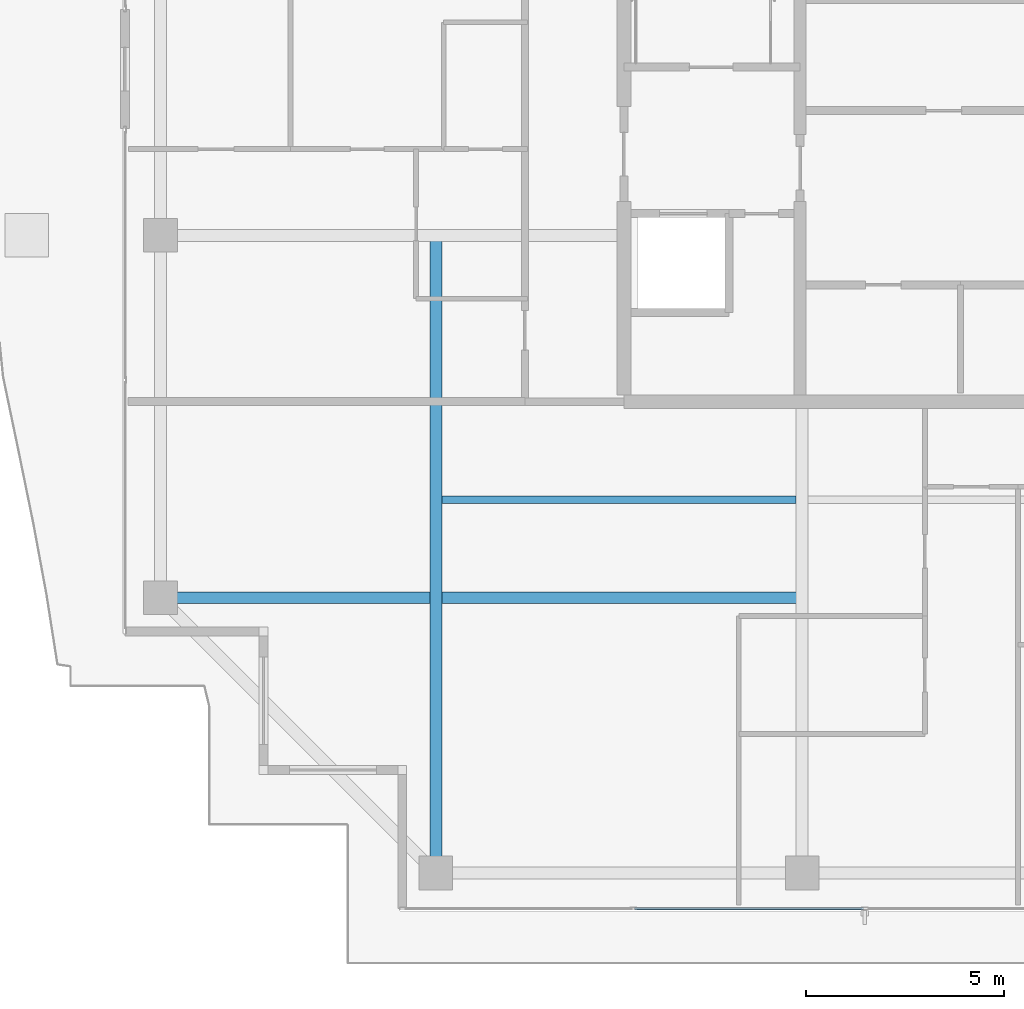
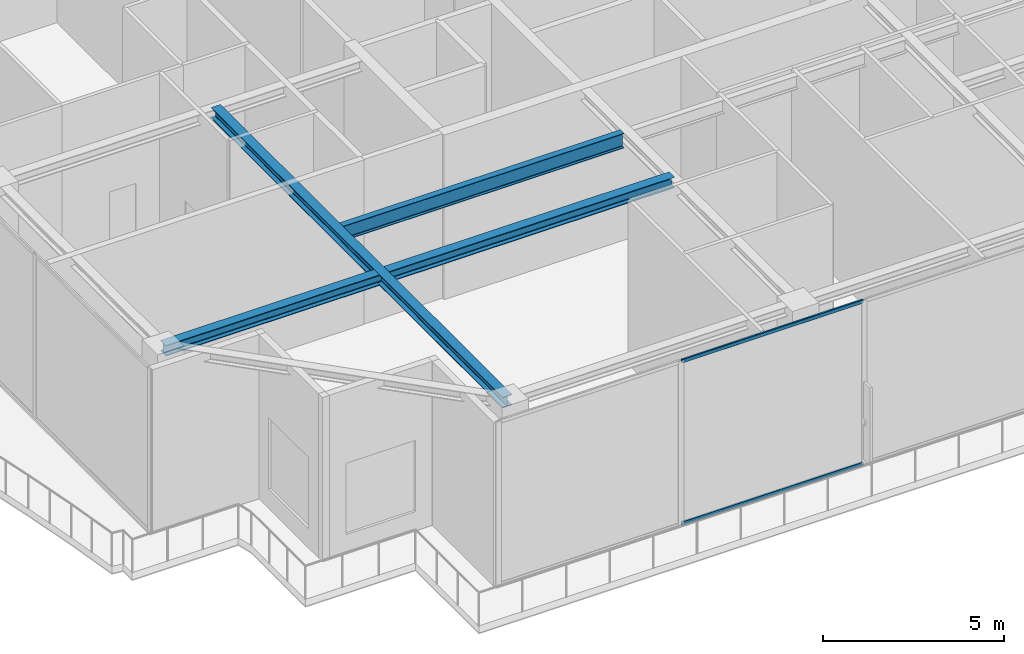
# One storey, part 5 of 38: 3 beams, 2 members, 1 element without a shape of its own.
"""IFC4 building model written with IfcOpenShell, lengths in metres."""

import ifcopenshell
import ifcopenshell.guid

model = None  # the IFC model being written
_history = None  # IfcOwnerHistory: only IFC2X3 demands one
_inside = {}  # id of a spatial element -> (the spatial element, [elements in it])
_under = {}  # id of a project, library or spatial element -> (it, [spatial elements below it])
_declared = {}  # id of a project -> (the project, [libraries it declares])
_typed = {}  # id of a type object -> (the type object, [elements of that type])
_made_of = {}  # id of a material, layer set ... -> (it, [elements and type objects made of it])


def new_model(schema):
    """Start an empty IFC model of exactly this schema.

    Asked for "IFC4X3", IfcOpenShell would pick the latest addendum, in which some entities
    have other attributes; the version numbers below select the first issue.
    IFC2X3 requires an IfcOwnerHistory on every rooted entity: one is made here for all.
    """
    global model, _history
    if schema == "IFC4X3":
        model = ifcopenshell.file(schema_version=(4, 3, 0, 0))
    else:
        model = ifcopenshell.file(schema=schema)
    _inside.clear()
    _under.clear()
    _declared.clear()
    _typed.clear()
    _made_of.clear()
    _history = None
    if model.schema == "IFC2X3":
        org = make("IfcOrganization", Name="unknown")
        user = make(
            "IfcPersonAndOrganization",
            ThePerson=make("IfcPerson", FamilyName="unknown"),
            TheOrganization=org,
        )
        app = make(
            "IfcApplication",
            ApplicationDeveloper=org,
            Version="unknown",
            ApplicationFullName="unknown",
            ApplicationIdentifier="unknown",
        )
        _history = make(
            "IfcOwnerHistory",
            OwningUser=user,
            OwningApplication=app,
            ChangeAction="ADDED",
            CreationDate=0,
        )
    return model


def make(cls, **values):
    """One entity of the class cls with the attributes given. An attribute that is None is left unset."""
    return model.create_entity(
        cls, **{name: value for name, value in values.items() if value is not None}
    )


def rooted(cls, **values):
    """An entity with a GlobalId (a new one), such as an element, a storey or a relation."""
    return make(cls, GlobalId=ifcopenshell.guid.new(), OwnerHistory=_history, **values)


def si_unit(unit_type, name, prefix=None):
    """IfcSIUnit, for example si_unit("LENGTHUNIT", "METRE", prefix="MILLI")."""
    return make("IfcSIUnit", UnitType=unit_type, Prefix=prefix, Name=name)


def assignment(units):
    """IfcUnitAssignment: the units of a project."""
    return None if units is None else make("IfcUnitAssignment", Units=units)


def point(xyz):
    """IfcCartesianPoint."""
    return None if xyz is None else make("IfcCartesianPoint", Coordinates=xyz)


def direction(xyz):
    """IfcDirection."""
    return None if xyz is None else make("IfcDirection", DirectionRatios=xyz)


def frame(location, z_axis=None, x_axis=None):
    """IfcAxis2Placement3D, a coordinate frame: its origin and axes. An axis left out is left unset."""
    return make(
        "IfcAxis2Placement3D",
        Location=point(location),
        Axis=direction(z_axis),
        RefDirection=direction(x_axis),
    )


def frame_2d(location, x_axis=None):
    """IfcAxis2Placement2D, a coordinate frame in the plane: its origin and x axis."""
    return make(
        "IfcAxis2Placement2D", Location=point(location), RefDirection=direction(x_axis)
    )


def origin():
    """The frame at (0, 0, 0) with its axes left unset."""
    return frame((0.0, 0.0, 0.0))


def origin_2d():
    """The frame at (0, 0) in the plane with its x axis left unset."""
    return frame_2d((0.0, 0.0))


def place(relative_to, where):
    """IfcLocalPlacement: puts the frame where relative to a parent placement (None: the world)."""
    return make(
        "IfcLocalPlacement", PlacementRelTo=relative_to, RelativePlacement=where
    )


def context(
    kind, dimensions, precision=None, world=None, true_north=None, identifier=None
):
    """IfcGeometricRepresentationContext, for example the 3D "Model" context."""
    return make(
        "IfcGeometricRepresentationContext",
        ContextIdentifier=identifier,
        ContextType=kind,
        CoordinateSpaceDimension=dimensions,
        Precision=precision,
        WorldCoordinateSystem=world,
        TrueNorth=true_north,
    )


def subcontext(parent, identifier, kind, view, scale=None):
    """IfcGeometricRepresentationSubContext, for example "Body" below "Model"."""
    return make(
        "IfcGeometricRepresentationSubContext",
        ContextIdentifier=identifier,
        ContextType=kind,
        ParentContext=parent,
        TargetScale=scale,
        TargetView=view,
    )


def project(units=None, contexts=None):
    """IfcProject with its units and contexts."""
    return rooted(
        "IfcProject",
        Name="project",
        RepresentationContexts=contexts,
        UnitsInContext=assignment(units),
    )


def spatial(cls, under=None, at=None, **own):
    """A site, building, storey or space (cls), placed at a placement, below another one or the project."""
    s = rooted(cls, ObjectPlacement=at, **own)
    if under is not None:
        _under.setdefault(under.id(), (under, []))[1].append(s)
    return s


def profile(cls, at=None, kind="AREA", **sizes):
    """A parametric profile (cls). Its sizes go by their IFC names, for example OverallWidth=200.0."""
    return make(cls, ProfileType=kind, Position=at, **sizes)


def hollow_rectangle(**sizes):
    """IfcRectangleHollowProfileDef."""
    return profile("IfcRectangleHollowProfileDef", **sizes)


def i_section(**sizes):
    """IfcIShapeProfileDef."""
    return profile("IfcIShapeProfileDef", **sizes)


def extrude(swept, where, along, depth):
    """IfcExtrudedAreaSolid: the profile swept, set in the frame where, extruded along a direction by depth."""
    return make(
        "IfcExtrudedAreaSolid",
        SweptArea=swept,
        Position=where,
        ExtrudedDirection=direction(along),
        Depth=depth,
    )


def shape(context_of_items, identifier, shape_type, items):
    """IfcShapeRepresentation: the items that make up one representation, for example the "Body"."""
    return make(
        "IfcShapeRepresentation",
        ContextOfItems=context_of_items,
        RepresentationIdentifier=identifier,
        RepresentationType=shape_type,
        Items=items,
    )


def source(mapping_origin, context_of_items, identifier, shape_type, items):
    """IfcRepresentationMap: a shape defined once, which mapped items show again and again."""
    return make(
        "IfcRepresentationMap",
        MappingOrigin=mapping_origin,
        MappedRepresentation=shape(context_of_items, identifier, shape_type, items),
    )


def transform(
    local_origin,
    x_axis=None,
    y_axis=None,
    z_axis=None,
    scale=None,
    scale2=None,
    scale3=None,
    uniform=True,
):
    """IfcCartesianTransformationOperator3D, or its non-uniform kind. x_axis, y_axis, z_axis: its Axis1, 2, 3."""
    if uniform:
        return make(
            "IfcCartesianTransformationOperator3D",
            Axis1=direction(x_axis),
            Axis2=direction(y_axis),
            LocalOrigin=point(local_origin),
            Scale=scale,
            Axis3=direction(z_axis),
        )
    return make(
        "IfcCartesianTransformationOperator3DnonUniform",
        Axis1=direction(x_axis),
        Axis2=direction(y_axis),
        LocalOrigin=point(local_origin),
        Scale=scale,
        Axis3=direction(z_axis),
        Scale2=scale2,
        Scale3=scale3,
    )


def mapped(mapping_source, mapping_target):
    """IfcMappedItem: shows the shape of a source again, moved by a transform."""
    return make(
        "IfcMappedItem", MappingSource=mapping_source, MappingTarget=mapping_target
    )


def material(Name=None, Category=None):
    """IfcMaterial."""
    return make("IfcMaterial", Name=Name, Category=Category)


def layer(
    of_material, thickness, ventilated=None, Name=None, Category=None, Priority=None
):
    """IfcMaterialLayer: one layer of a wall or slab, of a material (None: an air gap)."""
    return make(
        "IfcMaterialLayer",
        Material=of_material,
        LayerThickness=thickness,
        IsVentilated=ventilated,
        Name=Name,
        Category=Category,
        Priority=Priority,
    )


def layer_set(layers, Name=None):
    """IfcMaterialLayerSet."""
    return make("IfcMaterialLayerSet", MaterialLayers=layers, LayerSetName=Name)


def material_profile(
    of_material, cross_section, Name=None, Category=None, Priority=None
):
    """IfcMaterialProfile: a cross section and its material."""
    return make(
        "IfcMaterialProfile",
        Name=Name,
        Material=of_material,
        Profile=cross_section,
        Priority=Priority,
        Category=Category,
    )


def profile_set(profiles, Name=None, composite=None):
    """IfcMaterialProfileSet."""
    return make(
        "IfcMaterialProfileSet",
        Name=Name,
        MaterialProfiles=profiles,
        CompositeProfile=composite,
    )


def made_of(thing, what):
    """Note that an element or type object is made of a material, layer set ...; save() writes the relation."""
    if what is not None:
        _made_of.setdefault(what.id(), (what, []))[1].append(thing)
    return thing


def type_object(cls, material=None, **own):
    """A type object (cls), such as IfcWallType, which elements share."""
    return made_of(rooted(cls, **own), material)


def element(
    cls,
    number,
    at=None,
    inside=None,
    cuts=None,
    type_object=None,
    material=None,
    context=None,
    identifier="Body",
    shape_type=None,
    held_by="IfcProductDefinitionShape",
    body=None,
    shapes=None,
    **own,
):
    """One element of the class cls, such as IfcWall. Its Tag is "e" and its number.

    at: its placement. inside: the storey or other place that contains it. cuts: it is an
    opening in that element (IfcRelVoidsElement). A single representation is given by context,
    identifier, shape_type and body (its items); several are given by shapes. held_by: the class
    of the entity that holds the representations. save() writes the other relations.
    """
    e = rooted(cls, Tag="e%d" % number, ObjectPlacement=at, **own)
    if body is not None:
        shapes = [shape(context, identifier, shape_type, body)]
    if shapes is not None:
        e.Representation = make(held_by, Representations=shapes)
    if inside is not None:
        _inside.setdefault(inside.id(), (inside, []))[1].append(e)
    if cuts is not None:
        rooted(
            "IfcRelVoidsElement", RelatingBuildingElement=cuts, RelatedOpeningElement=e
        )
    if type_object is not None:
        _typed.setdefault(type_object.id(), (type_object, []))[1].append(e)
    return made_of(e, material)


def aggregate(whole, parts):
    """IfcRelAggregates: a whole, such as a stair, and the parts it consists of."""
    return rooted("IfcRelAggregates", RelatingObject=whole, RelatedObjects=parts)


def save(model, path):
    """Write the relations noted so far, then the file.

    IfcRelAggregates (storeys below a building ...), IfcRelContainedInSpatialStructure (elements
    in a storey), IfcRelDefinesByType, IfcRelAssociatesMaterial and IfcRelDeclares: one each for
    every whole, place, type object, material and project.
    """
    for whole, parts in _under.values():
        aggregate(whole, parts)
    for where, things in _inside.values():
        rooted(
            "IfcRelContainedInSpatialStructure",
            RelatedElements=things,
            RelatingStructure=where,
        )
    for kind, things in _typed.values():
        rooted("IfcRelDefinesByType", RelatedObjects=things, RelatingType=kind)
    for what, things in _made_of.values():
        rooted("IfcRelAssociatesMaterial", RelatedObjects=things, RelatingMaterial=what)
    for by, libraries in _declared.values():
        rooted("IfcRelDeclares", RelatingContext=by, RelatedDefinitions=libraries)
    model.write(path)


model = new_model("IFC4")

# Units and contexts
model_context = context("Model", 3, precision=1e-05, world=origin(), true_north=direction((0.0, 1.0)))
body_context = subcontext(model_context, "Body", "Model", "MODEL_VIEW")
ifc_project = project(units=[si_unit("LENGTHUNIT", "METRE"), si_unit("AREAUNIT", "SQUARE_METRE"), si_unit("VOLUMEUNIT", "CUBIC_METRE"), si_unit("PLANEANGLEUNIT", "RADIAN"), si_unit("MASSUNIT", "GRAM", prefix="KILO")], contexts=[model_context])

# Site, building, storey
site_placement = place(None, origin())
site = spatial("IfcSite", under=ifc_project, at=site_placement, CompositionType="ELEMENT")
building_placement = place(site_placement, origin())
building = spatial("IfcBuilding", under=site, at=building_placement, Name="Serunith Strait Residences", CompositionType="ELEMENT")
storey_placement = place(building_placement, frame((0.0, 0.0, 353.85009765625)))
storey = spatial("IfcBuildingStorey", under=building, at=storey_placement, Name="L87", CompositionType="ELEMENT", Elevation=353.85009765625)

# Beams
ifc_material_1 = material(Name="Steel S355J2", Category="steel")
ifc_material_profile_1 = material_profile(ifc_material_1, i_section(OverallWidth=0.300048828125, OverallDepth=0.360107421875, WebThickness=0.012451171875, FlangeThickness=0.0224609375, FilletRadius=0.027099609375, at=origin_2d()), Name="HEB 360")
ifc_profile_set_1 = profile_set([ifc_material_profile_1], Name="Steel S355J2")
beam_type_1 = type_object("IfcBeamType", Name="BM-HEB360", PredefinedType="BEAM", material=ifc_profile_set_1)
shared_shape_1 = source(origin(), body_context, "Body", "SweptSolid", [
    extrude(i_section(OverallWidth=0.300048828125, OverallDepth=0.360107421875, WebThickness=0.012451171875, FlangeThickness=0.0224609375, FilletRadius=0.027099609375, at=origin_2d()), origin(), (0.0, 0.0, 1.0), 16.10009765625),
])
beam_1_placement = place(storey_placement, frame((18.64990234375, 21.0, 5.35693359375), z_axis=(0.0, -1.0, 0.0), x_axis=(1.0, 0.0, 0.0)))
element("IfcBeam", 1, at=beam_1_placement, inside=storey, type_object=beam_type_1, Name="L87 Orthogonal Corner Girder TC-S1", PredefinedType="BEAM", context=body_context, shape_type="MappedRepresentation", body=[
    mapped(shared_shape_1, transform((0.0, 0.0, 0.0), scale=1.0)),
])
shared_shape_2 = source(origin(), body_context, "Body", "SweptSolid", [
    extrude(i_section(OverallWidth=0.300048828125, OverallDepth=0.360107421875, WebThickness=0.012451171875, FlangeThickness=0.0224609375, FilletRadius=0.027099609375, at=origin_2d()), origin(), (0.0, 0.0, 1.0), 16.199951171875),
])
beam_2_placement = place(storey_placement, frame((27.89990234375, 11.85009765625, 5.35693359375), z_axis=(-1.0, 0.0, 0.0), x_axis=(0.0, -1.0, 0.0)))
element("IfcBeam", 2, at=beam_2_placement, inside=storey, type_object=beam_type_1, Name="L87 Orthogonal Corner Girder TC-W1", PredefinedType="BEAM", context=body_context, shape_type="MappedRepresentation", body=[
    mapped(shared_shape_2, transform((0.0, 0.0, 0.0), scale=1.0)),
])
ifc_material_profile_2 = material_profile(ifc_material_1, i_section(OverallWidth=0.199951171875, OverallDepth=0.5, WebThickness=0.01025390625, FlangeThickness=0.01611328125, FilletRadius=0.02099609375, at=origin_2d()), Name="IPE 500")
ifc_profile_set_2 = profile_set([ifc_material_profile_2], Name="Steel S355J2")
beam_type_2 = type_object("IfcBeamType", Name="BM-IPE500", PredefinedType="JOIST", material=ifc_profile_set_2)
shared_shape_3 = source(origin(), body_context, "Body", "SweptSolid", [
    extrude(i_section(OverallWidth=0.199951171875, OverallDepth=0.5, WebThickness=0.01025390625, FlangeThickness=0.01611328125, FilletRadius=0.02099609375, at=origin_2d()), origin(), (0.0, 0.0, 1.0), 8.949951171875),
])
beam_3_placement = place(storey_placement, frame((18.800048828125, 14.324951171875, 5.286865234375), z_axis=(1.0, 0.0, 0.0), x_axis=(0.0, 1.0, 0.0)))
element("IfcBeam", 3, at=beam_3_placement, inside=storey, type_object=beam_type_2, Name="L87 Composite Floor Joist 01", PredefinedType="JOIST", context=body_context, shape_type="MappedRepresentation", body=[
    mapped(shared_shape_3, transform((0.0, 0.0, 0.0), scale=1.0)),
])

# Curtain wall, members
ifc_material_2 = material(Name="Brushed Stainless-Silver Aluminium", Category="aluminium")
ifc_layer = layer(ifc_material_2, 0.199951171875, Name="Brushed Stainless-Silver Aluminium")
ifc_layer_set = layer_set([ifc_layer], Name="Brushed Stainless-Silver Aluminium")
curtain_wall_type = type_object("IfcCurtainWallType", Name="CW-SYS5", PredefinedType="NOTDEFINED", material=ifc_layer_set)
curtain_wall_placement = place(storey_placement, origin())
curtain_wall = element("IfcCurtainWall", 4, at=curtain_wall_placement, inside=storey, type_object=curtain_wall_type, Name="L87 S Unitised Fritted Curtain Wall", PredefinedType="NOTDEFINED")
ifc_material_profile_3 = material_profile(ifc_material_2, hollow_rectangle(XDim=0.06005859375, YDim=0.1201171875, WallThickness=0.00341796875, InnerFilletRadius=0.00537109375, OuterFilletRadius=0.0087890625, at=origin_2d()), Name="ALU 120x60x3.5")
ifc_profile_set_3 = profile_set([ifc_material_profile_3], Name="Brushed Stainless-Silver Aluminium")
member_type = type_object("IfcMemberType", Name="CW-SYS5-TRAN", PredefinedType="USERDEFINED", material=ifc_profile_set_3)
shared_shape_4 = source(origin(), body_context, "Body", "SweptSolid", [
    extrude(hollow_rectangle(XDim=0.06005859375, YDim=0.1201171875, WallThickness=0.00341796875, InnerFilletRadius=0.00537109375, OuterFilletRadius=0.0087890625, at=origin_2d()), origin(), (0.0, 0.0, 1.0), 5.77490234375),
])
member_1_placement = place(storey_placement, frame((23.672607421875, 4.0, 0.02978515625), z_axis=(1.0, 0.0, 0.0), x_axis=(0.0, 1.0, 0.0)))
member_1 = element("IfcMember", 5, at=member_1_placement, type_object=member_type, Name="CW-5 transom 2.1", ObjectType="TRANSOM", PredefinedType="USERDEFINED", context=body_context, shape_type="MappedRepresentation", body=[
    mapped(shared_shape_4, transform((0.0, 0.0, 0.0), scale=1.0)),
])
member_2_placement = place(storey_placement, frame((23.672607421875, 4.0, 5.494873046875), z_axis=(1.0, 0.0, 0.0), x_axis=(0.0, 1.0, 0.0)))
member_2 = element("IfcMember", 6, at=member_2_placement, type_object=member_type, Name="CW-5 transom 2.2", ObjectType="TRANSOM", PredefinedType="USERDEFINED", context=body_context, shape_type="MappedRepresentation", body=[
    mapped(shared_shape_4, transform((0.0, 0.0, 0.0), scale=1.0)),
])
aggregate(curtain_wall, [member_1, member_2])

save(model, "model.ifc")
